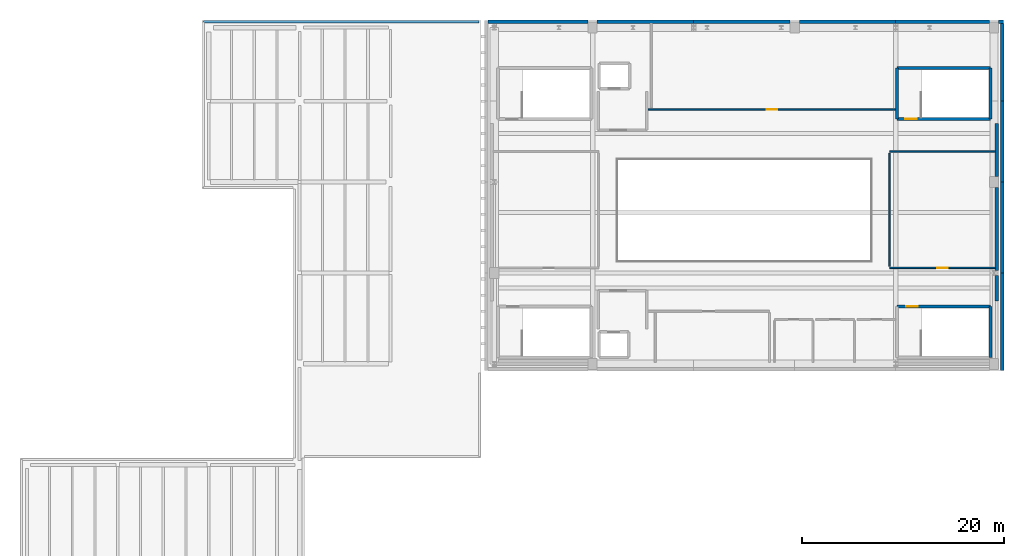
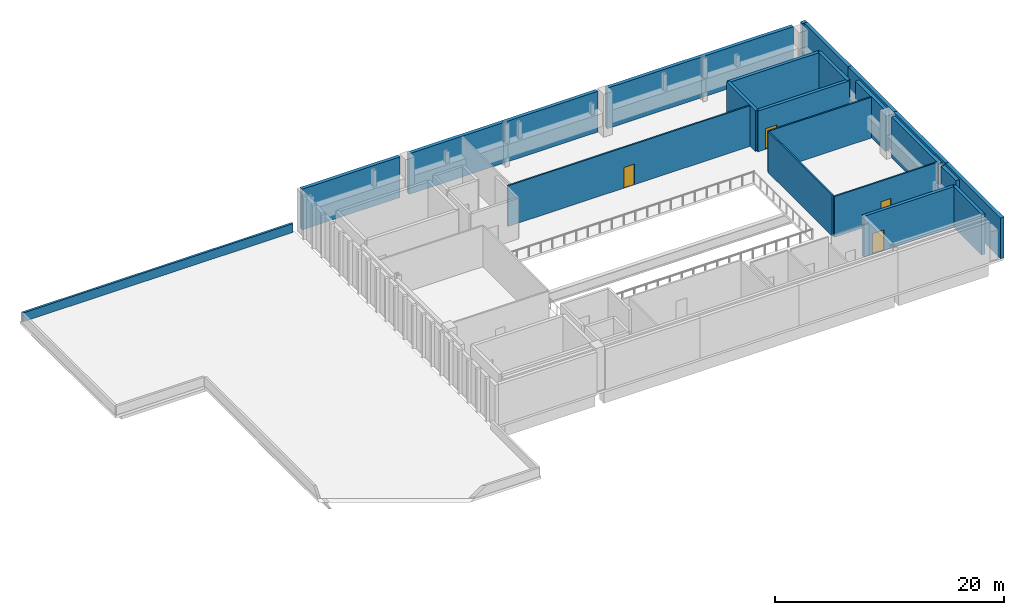
# One storey, part 7 of 8: 24 walls, 4 doors, 4 openings.
"""IFC4 building model written with IfcOpenShell, lengths in metres."""

from ifc_helpers import new_model, si_unit, direction, frame, frame_2d, origin, place, context, subcontext, project, spatial, rectangle, extrude, material, layer, layer_set, type_object, element, fill, save


model = new_model("IFC4")

# Units and contexts
model_context = context("Model", 3, precision=1e-05, world=origin(), true_north=direction((0.0, 1.0)))
body_context = subcontext(model_context, "Body", "Model", "MODEL_VIEW")
ifc_project = project(units=[si_unit("LENGTHUNIT", "METRE"), si_unit("AREAUNIT", "SQUARE_METRE"), si_unit("VOLUMEUNIT", "CUBIC_METRE"), si_unit("PLANEANGLEUNIT", "RADIAN"), si_unit("MASSUNIT", "GRAM", prefix="KILO")], contexts=[model_context])

# Site, building, storey
site_placement = place(None, origin())
site = spatial("IfcSite", under=ifc_project, at=site_placement, CompositionType="ELEMENT")
building_placement = place(site_placement, origin())
building = spatial("IfcBuilding", under=site, at=building_placement, Name="Trimount Lyric Opera House", CompositionType="ELEMENT")
storey_placement = place(building_placement, frame((0.0, 0.0, 29.60009765625)))
storey = spatial("IfcBuildingStorey", under=building, at=storey_placement, Name="L06", CompositionType="ELEMENT", Elevation=29.60009765625)

# Wall
ifc_material_1 = material(Name="Precast concrete C40/50", Category="concrete")
ifc_layer_1 = layer(ifc_material_1, 0.2099609375)
ifc_layer_set_1 = layer_set([ifc_layer_1], Name="WL-PA210")
wall_type_1 = type_object("IfcWallType", Name="WL-PA210", PredefinedType="PARAPET", material=ifc_layer_set_1)
wall_1_placement = place(storey_placement, frame((35.4599609375, 117.860107421875, 0.0), z_axis=(0.0, 0.0, 1.0), x_axis=(1.0, 0.0, 0.0)))
element("IfcWall", 1, at=wall_1_placement, inside=storey, type_object=wall_type_1, Name="L06 roof parapet 039", PredefinedType="PARAPET", context=body_context, shape_type="SweptSolid", body=[
    extrude(rectangle(XDim=27.31005859375, YDim=0.2099609375, at=frame_2d((13.655029296875, 0.0))), origin(), (0.0, 0.0, 1.0), 0.949951171875),
])

# Wall, opening, door
ifc_material_2 = material(Name="Fire-Rated Gypsum Board Partition")
ifc_layer_2 = layer(ifc_material_2, 0.14990234375)
ifc_layer_set_2 = layer_set([ifc_layer_2], Name="WL-PT150")
wall_type_2 = type_object("IfcWallType", Name="WL-PT150", PredefinedType="PARTITIONING", material=ifc_layer_set_2)
wall_2_placement = place(storey_placement, frame((103.39990234375, 93.5, 0.0), z_axis=(0.0, 0.0, 1.0), x_axis=(1.0, 0.0, 0.0)))
wall_2 = element("IfcWall", 2, at=wall_2_placement, inside=storey, type_object=wall_type_2, Name="L06 Stage Automation Control Gallery S partition", PredefinedType="PARTITIONING", context=body_context, shape_type="SweptSolid", body=[
    extrude(rectangle(XDim=10.460205078125, YDim=0.14990234375, at=frame_2d((5.22998046875, 0.0))), origin(), (0.0, 0.0, 1.0), 4.349853515625),
])
opening_1_placement = place(wall_2_placement, frame((4.72998046875, 0.0, 0.0)))
opening_1 = element("IfcOpeningElement", 3, at=opening_1_placement, cuts=wall_2, Name="Opening DT-RM1", PredefinedType="OPENING", context=body_context, shape_type="SweptSolid", body=[
    extrude(rectangle(XDim=1.0, YDim=2.14990234375, at=frame_2d((0.5, 1.074951171875))), frame((0.0, 0.0849609375, 0.0), z_axis=(0.0, -1.0, 0.0), x_axis=(1.0, 0.0, 0.0)), (0.0, 0.0, 1.0), 0.169921875),
])
ifc_material_3 = material(Name="Solid Core White Oak")
door_type_1 = type_object("IfcDoorType", Name="DT-RM1", OperationType="NOTDEFINED", PredefinedType="DOOR", material=ifc_material_3)
door_1_placement = place(opening_1_placement, origin())
door_1 = element("IfcDoor", 4, at=door_1_placement, inside=storey, type_object=door_type_1, Name="D-255", OperationType="SINGLE_SWING_LEFT", OverallHeight=2.14990234375, OverallWidth=1.0, PredefinedType="DOOR", context=body_context, shape_type="SweptSolid", body=[
    extrude(rectangle(XDim=1.0, YDim=2.14990234375, at=frame_2d((0.5, 1.074951171875))), frame((0.0, 0.02490234375, 0.0), z_axis=(0.0, -1.0, 0.0), x_axis=(1.0, 0.0, 0.0)), (0.0, 0.0, 1.0), 0.050048828125),
])
fill(opening_1, door_1)

# Walls
wall_3_placement = place(storey_placement, frame((113.860107421875, 105.0, 0.0), z_axis=(0.0, 0.0, 1.0), x_axis=(-1.0, 0.0, 0.0)))
element("IfcWall", 5, at=wall_3_placement, inside=storey, type_object=wall_type_2, Name="L06 Stage Automation Control Gallery N partition", PredefinedType="PARTITIONING", context=body_context, shape_type="SweptSolid", body=[
    extrude(rectangle(XDim=10.460205078125, YDim=0.14990234375, at=frame_2d((5.22998046875, 0.0))), origin(), (0.0, 0.0, 1.0), 4.349853515625),
])
wall_4_placement = place(storey_placement, frame((103.39990234375, 104.85009765625, 0.0), z_axis=(0.0, 0.0, 1.0), x_axis=(0.0, -1.0, 0.0)))
element("IfcWall", 6, at=wall_4_placement, inside=storey, type_object=wall_type_2, Name="L06 Stage Automation Control Gallery W partition", PredefinedType="PARTITIONING", context=body_context, shape_type="SweptSolid", body=[
    extrude(rectangle(XDim=11.2001953125, YDim=0.14990234375, at=frame_2d((5.60009765625, 0.0))), origin(), (0.0, 0.0, 1.0), 4.3798828125),
])

# Wall, opening, door
wall_5_placement = place(storey_placement, frame((79.489990234375, 109.199951171875, 0.0), z_axis=(0.0, 0.0, 1.0), x_axis=(1.0, 0.0, 0.0)))
wall_5 = element("IfcWall", 7, at=wall_5_placement, inside=storey, type_object=wall_type_2, Name="L06 Rigging Crew & Cue Control Room S partition", PredefinedType="PARTITIONING", context=body_context, shape_type="SweptSolid", body=[
    extrude(rectangle(XDim=24.4951171875, YDim=0.14990234375, at=frame_2d((12.24755859375, 0.0))), origin(), (0.0, 0.0, 1.0), 4.349853515625),
])
opening_2_placement = place(wall_5_placement, frame((11.722412109375, 0.0, 0.0)))
opening_2 = element("IfcOpeningElement", 8, at=opening_2_placement, cuts=wall_5, Name="Opening DT-RM3", PredefinedType="OPENING", context=body_context, shape_type="SweptSolid", body=[
    extrude(rectangle(XDim=1.050048828125, YDim=2.199951171875, at=frame_2d((0.52490234375, 1.10009765625))), frame((0.0, 0.0849609375, 0.0), z_axis=(0.0, -1.0, 0.0), x_axis=(1.0, 0.0, 0.0)), (0.0, 0.0, 1.0), 0.169921875),
])
ifc_material_4 = material(Name="Solid Core White Oak")
door_type_2 = type_object("IfcDoorType", Name="DT-RM3", OperationType="NOTDEFINED", PredefinedType="DOOR", material=ifc_material_4)
door_2_placement = place(opening_2_placement, origin())
door_2 = element("IfcDoor", 9, at=door_2_placement, inside=storey, type_object=door_type_2, Name="D-256", OperationType="SINGLE_SWING_RIGHT", OverallHeight=2.199951171875, OverallWidth=1.050048828125, PredefinedType="DOOR", context=body_context, shape_type="SweptSolid", body=[
    extrude(rectangle(XDim=1.050048828125, YDim=2.199951171875, at=frame_2d((0.52490234375, 1.10009765625))), frame((0.0, 0.02490234375, 0.0), z_axis=(0.0, -1.0, 0.0), x_axis=(1.0, 0.0, 0.0)), (0.0, 0.0, 1.0), 0.050048828125),
])
fill(opening_2, door_2)

ifc_material_5 = material(Name="Concrete C40/50", Category="concrete")
ifc_layer_3 = layer(ifc_material_5, 0.320068359375)
ifc_layer_set_3 = layer_set([ifc_layer_3], Name="WL-SH320")
wall_type_3 = type_object("IfcWallType", Name="WL-SH320", PredefinedType="SHEAR", material=ifc_layer_set_3)
wall_6_placement = place(storey_placement, frame((104.125, 108.22509765625, 0.0), z_axis=(0.0, 0.0, 1.0), x_axis=(1.0, 0.0, 0.0)))
wall_6 = element("IfcWall", 10, at=wall_6_placement, inside=storey, type_object=wall_type_3, Name="K2 L06 south shaft wall", PredefinedType="SHEAR", context=body_context, shape_type="SweptSolid", body=[
    extrude(rectangle(XDim=9.25, YDim=0.320068359375, at=frame_2d((4.625, 0.0))), origin(), (0.0, 0.0, 1.0), 4.349853515625),
])
opening_3_placement = place(wall_6_placement, frame((0.800048828125, 0.0, 0.0)))
opening_3 = element("IfcOpeningElement", 11, at=opening_3_placement, cuts=wall_6, Name="Opening DT-ST1", PredefinedType="OPENING", context=body_context, shape_type="SweptSolid", body=[
    extrude(rectangle(XDim=1.14990234375, YDim=2.199951171875, at=frame_2d((0.574951171875, 1.10009765625))), frame((0.0, 0.169921875, 0.0), z_axis=(0.0, -1.0, 0.0), x_axis=(1.0, 0.0, 0.0)), (0.0, 0.0, 1.0), 0.340087890625),
])
ifc_material_6 = material(Name="Fire-Rated Hollow Steel", Category="steel")
door_type_3 = type_object("IfcDoorType", Name="DT-ST1", OperationType="NOTDEFINED", PredefinedType="DOOR", material=ifc_material_6)
door_3_placement = place(opening_3_placement, origin())
door_3 = element("IfcDoor", 12, at=door_3_placement, inside=storey, type_object=door_type_3, Name="D-022", OperationType="SINGLE_SWING_RIGHT", OverallHeight=2.199951171875, OverallWidth=1.14990234375, PredefinedType="DOOR", context=body_context, shape_type="SweptSolid", body=[
    extrude(rectangle(XDim=1.14990234375, YDim=2.199951171875, at=frame_2d((0.574951171875, 1.10009765625))), frame((0.0, 0.02490234375, 0.0), z_axis=(0.0, -1.0, 0.0), x_axis=(1.0, 0.0, 0.0)), (0.0, 0.0, 1.0), 0.050048828125),
])
fill(opening_3, door_3)

# Walls
wall_7_placement = place(storey_placement, frame((113.375, 113.27490234375, 0.0), z_axis=(0.0, 0.0, 1.0), x_axis=(-1.0, 0.0, 0.0)))
element("IfcWall", 13, at=wall_7_placement, inside=storey, type_object=wall_type_3, Name="K2 L06 north shaft wall", PredefinedType="SHEAR", context=body_context, shape_type="SweptSolid", body=[
    extrude(rectangle(XDim=9.25, YDim=0.320068359375, at=frame_2d((4.625, 0.0))), origin(), (0.0, 0.0, 1.0), 4.349853515625),
])
wall_8_placement = place(storey_placement, frame((104.125, 113.27490234375, 0.0), z_axis=(0.0, 0.0, 1.0), x_axis=(0.0, -1.0, 0.0)))
element("IfcWall", 14, at=wall_8_placement, inside=storey, type_object=wall_type_3, Name="K2 L06 west shaft wall", PredefinedType="SHEAR", context=body_context, shape_type="SweptSolid", body=[
    extrude(rectangle(XDim=5.0498046875, YDim=0.320068359375, at=frame_2d((2.52490234375, 0.0))), origin(), (0.0, 0.0, 1.0), 4.3798828125),
])
wall_9_placement = place(storey_placement, frame((113.375, 108.22509765625, 0.0), z_axis=(0.0, 0.0, 1.0), x_axis=(0.0, 1.0, 0.0)))
element("IfcWall", 15, at=wall_9_placement, inside=storey, type_object=wall_type_3, Name="K2 L06 east shaft wall", PredefinedType="SHEAR", context=body_context, shape_type="SweptSolid", body=[
    extrude(rectangle(XDim=5.0498046875, YDim=0.320068359375, at=frame_2d((2.52490234375, 0.0))), origin(), (0.0, 0.0, 1.0), 4.349853515625),
])

# Wall, opening, door
wall_10_placement = place(storey_placement, frame((113.375, 89.675048828125, 0.0), z_axis=(0.0, 0.0, 1.0), x_axis=(-1.0, 0.0, 0.0)))
wall_10 = element("IfcWall", 16, at=wall_10_placement, inside=storey, type_object=wall_type_3, Name="K4 L06 north shaft wall", PredefinedType="SHEAR", context=body_context, shape_type="SweptSolid", body=[
    extrude(rectangle(XDim=9.25, YDim=0.320068359375, at=frame_2d((4.625, 0.0))), origin(), (0.0, 0.0, 1.0), 4.349853515625),
])
opening_4_placement = place(wall_10_placement, frame((7.199951171875, 0.0, 0.0)))
opening_4 = element("IfcOpeningElement", 17, at=opening_4_placement, cuts=wall_10, Name="Opening DT-ST1", PredefinedType="OPENING", context=body_context, shape_type="SweptSolid", body=[
    extrude(rectangle(XDim=1.14990234375, YDim=2.199951171875, at=frame_2d((0.574951171875, 1.10009765625))), frame((0.0, 0.169921875, 0.0), z_axis=(0.0, -1.0, 0.0), x_axis=(1.0, 0.0, 0.0)), (0.0, 0.0, 1.0), 0.340087890625),
])
door_4_placement = place(opening_4_placement, origin())
door_4 = element("IfcDoor", 18, at=door_4_placement, inside=storey, type_object=door_type_3, Name="D-038", OperationType="SINGLE_SWING_RIGHT", OverallHeight=2.199951171875, OverallWidth=1.14990234375, PredefinedType="DOOR", context=body_context, shape_type="SweptSolid", body=[
    extrude(rectangle(XDim=1.14990234375, YDim=2.199951171875, at=frame_2d((0.574951171875, 1.10009765625))), frame((0.0, 0.02490234375, 0.0), z_axis=(0.0, -1.0, 0.0), x_axis=(1.0, 0.0, 0.0)), (0.0, 0.0, 1.0), 0.050048828125),
])
fill(opening_4, door_4)

# Walls
wall_11_placement = place(storey_placement, frame((113.375, 84.625, 0.0), z_axis=(0.0, 0.0, 1.0), x_axis=(0.0, 1.0, 0.0)))
element("IfcWall", 19, at=wall_11_placement, inside=storey, type_object=wall_type_3, Name="K4 L06 east shaft wall", PredefinedType="SHEAR", context=body_context, shape_type="SweptSolid", body=[
    extrude(rectangle(XDim=5.050048828125, YDim=0.320068359375, at=frame_2d((2.52490234375, 0.0))), origin(), (0.0, 0.0, 1.0), 4.349853515625),
])
ifc_material_7 = material(Name="Concrete C40/50", Category="concrete")
ifc_layer_4 = layer(ifc_material_7, 0.35009765625)
ifc_layer_set_4 = layer_set([ifc_layer_4], Name="WL-SH350")
wall_type_4 = type_object("IfcWallType", Name="WL-SH350", PredefinedType="SHEAR", material=ifc_layer_set_4)
wall_12_placement = place(storey_placement, frame((114.0, 90.199951171875, 0.0), z_axis=(0.0, 0.0, 1.0), x_axis=(0.0, 1.0, 0.0)))
element("IfcWall", 20, at=wall_12_placement, inside=storey, type_object=wall_type_4, Name="L06 fly-tower east shear wall", PredefinedType="SHEAR", context=body_context, shape_type="SweptSolid", body=[
    extrude(rectangle(XDim=2.567626953125, YDim=0.35009765625, at=frame_2d((1.28369140625, 0.0))), origin(), (0.0, 0.0, 1.0), 4.349853515625),
])
wall_13_placement = place(storey_placement, frame((114.0, 93.232421875, 0.0), z_axis=(0.0, 0.0, 1.0), x_axis=(0.0, 1.0, 0.0)))
element("IfcWall", 21, at=wall_13_placement, inside=storey, type_object=wall_type_4, Name="L06 fly-tower east shear wall", PredefinedType="SHEAR", context=body_context, shape_type="SweptSolid", body=[
    extrude(rectangle(XDim=8.217529296875, YDim=0.35009765625, at=frame_2d((4.10888671875, 0.0))), origin(), (0.0, 0.0, 1.0), 4.349853515625),
])
wall_14_placement = place(storey_placement, frame((114.0, 102.550048828125, 0.0), z_axis=(0.0, 0.0, 1.0), x_axis=(0.0, 1.0, 0.0)))
element("IfcWall", 22, at=wall_14_placement, inside=storey, type_object=wall_type_4, Name="L06 fly-tower east shear wall", PredefinedType="SHEAR", context=body_context, shape_type="SweptSolid", body=[
    extrude(rectangle(XDim=5.25, YDim=0.35009765625, at=frame_2d((2.625, 0.0))), origin(), (0.0, 0.0, 1.0), 4.349853515625),
])
wall_15_placement = place(storey_placement, frame((63.639892578125, 117.860107421875, 0.0), z_axis=(0.0, 0.0, 1.0), x_axis=(1.0, 0.0, 0.0)))
element("IfcWall", 23, at=wall_15_placement, inside=storey, type_object=wall_type_4, Name="L06 exterior facade wall 359", PredefinedType="SHEAR", context=body_context, shape_type="SweptSolid", body=[
    extrude(rectangle(XDim=9.91015625, YDim=0.35009765625, at=frame_2d((4.955078125, 0.0))), origin(), (0.0, 0.0, 1.0), 4.349853515625),
])
for number, where, z_axis, x_axis, name in (
    (24, (74.449951171875, 117.860107421875, 0.0), (0.0, 0.0, 1.0), (1.0, 0.0, 0.0), "L06 exterior facade wall 360"),
    (25, (84.0, 117.860107421875, 0.0), (0.0, 0.0, 1.0), (1.0, 0.0, 0.0), "L06 exterior facade wall 361"),
    (26, (94.449951171875, 117.860107421875, 0.0), (0.0, 0.0, 1.0), (1.0, 0.0, 0.0), "L06 exterior facade wall 362"),
):
    element("IfcWall", number, at=place(storey_placement, frame(where, z_axis=z_axis, x_axis=x_axis)), inside=storey, type_object=wall_type_4, Name=name, PredefinedType="SHEAR", context=body_context, shape_type="SweptSolid", body=[
        extrude(rectangle(XDim=9.550048828125, YDim=0.35009765625, at=frame_2d((4.77490234375, 0.0))), origin(), (0.0, 0.0, 1.0), 4.349853515625),
    ])
wall_16_placement = place(storey_placement, frame((104.0, 117.860107421875, 0.0), z_axis=(0.0, 0.0, 1.0), x_axis=(1.0, 0.0, 0.0)))
element("IfcWall", 27, at=wall_16_placement, inside=storey, type_object=wall_type_4, Name="L06 exterior facade wall 363", PredefinedType="SHEAR", context=body_context, shape_type="SweptSolid", body=[
    extrude(rectangle(XDim=9.2900390625, YDim=0.35009765625, at=frame_2d((4.64501953125, 0.0))), origin(), (0.0, 0.0, 1.0), 4.349853515625),
])
wall_17_placement = place(storey_placement, frame((114.18994140625, 117.860107421875, 0.0), z_axis=(0.0, 0.0, 1.0), x_axis=(1.0, 0.0, 0.0)))
element("IfcWall", 28, at=wall_17_placement, inside=storey, type_object=wall_type_4, Name="L06 exterior facade wall 363", PredefinedType="SHEAR", context=body_context, shape_type="SweptSolid", body=[
    extrude(rectangle(XDim=0.489990234375, YDim=0.35009765625, at=frame_2d((0.2451171875, 0.0))), origin(), (0.0, 0.0, 1.0), 4.349853515625),
])
wall_18_placement = place(storey_placement, frame((114.5400390625, 117.679931640625, 0.0), z_axis=(0.0, 0.0, 1.0), x_axis=(0.0, -1.0, 0.0)))
element("IfcWall", 29, at=wall_18_placement, inside=storey, type_object=wall_type_4, Name="L06 exterior facade wall 364", PredefinedType="SHEAR", context=body_context, shape_type="SweptSolid", body=[
    extrude(rectangle(XDim=7.679931640625, YDim=0.35009765625, at=frame_2d((3.83984375, 0.0))), origin(), (0.0, 0.0, 1.0), 4.349853515625),
])
wall_19_placement = place(storey_placement, frame((114.5400390625, 110.0, 0.0), z_axis=(0.0, 0.0, 1.0), x_axis=(0.0, -1.0, 0.0)))
element("IfcWall", 30, at=wall_19_placement, inside=storey, type_object=wall_type_4, Name="L06 exterior facade wall 365", PredefinedType="SHEAR", context=body_context, shape_type="SweptSolid", body=[
    extrude(rectangle(XDim=8.0, YDim=0.35009765625, at=frame_2d((4.0, 0.0))), origin(), (0.0, 0.0, 1.0), 4.349853515625),
])
wall_20_placement = place(storey_placement, frame((114.5400390625, 102.0, 0.0), z_axis=(0.0, 0.0, 1.0), x_axis=(0.0, -1.0, 0.0)))
element("IfcWall", 31, at=wall_20_placement, inside=storey, type_object=wall_type_4, Name="L06 exterior facade wall 366", PredefinedType="SHEAR", context=body_context, shape_type="SweptSolid", body=[
    extrude(rectangle(XDim=9.0, YDim=0.35009765625, at=frame_2d((4.5, 0.0))), origin(), (0.0, 0.0, 1.0), 4.349853515625),
])
wall_21_placement = place(storey_placement, frame((114.5400390625, 93.0, 0.0), z_axis=(0.0, 0.0, 1.0), x_axis=(0.0, -1.0, 0.0)))
element("IfcWall", 32, at=wall_21_placement, inside=storey, type_object=wall_type_4, Name="L06 exterior facade wall 367", PredefinedType="SHEAR", context=body_context, shape_type="SweptSolid", body=[
    extrude(rectangle(XDim=9.679931640625, YDim=0.35009765625, at=frame_2d((4.83984375, 0.0))), origin(), (0.0, 0.0, 1.0), 4.349853515625),
])

save(model, "model.ifc")
